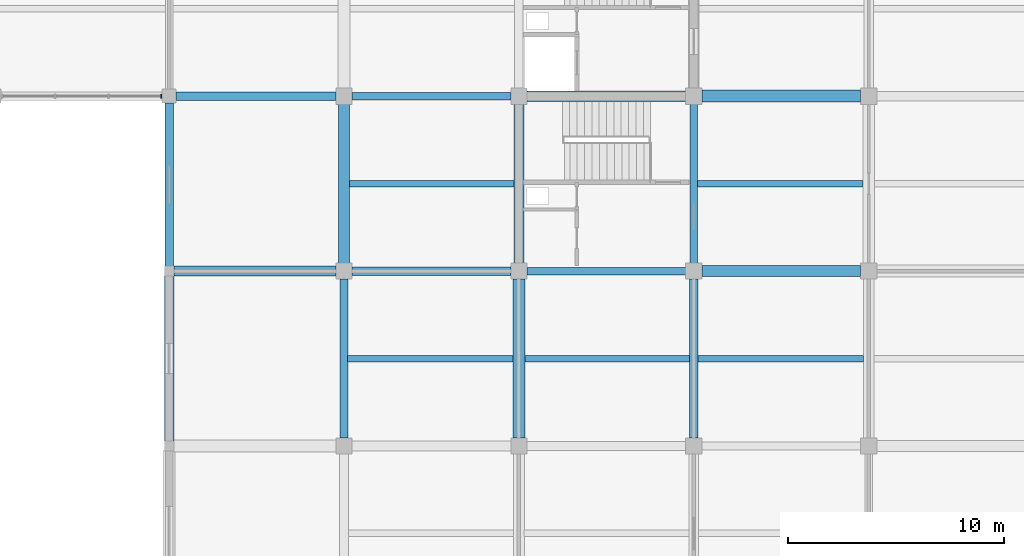
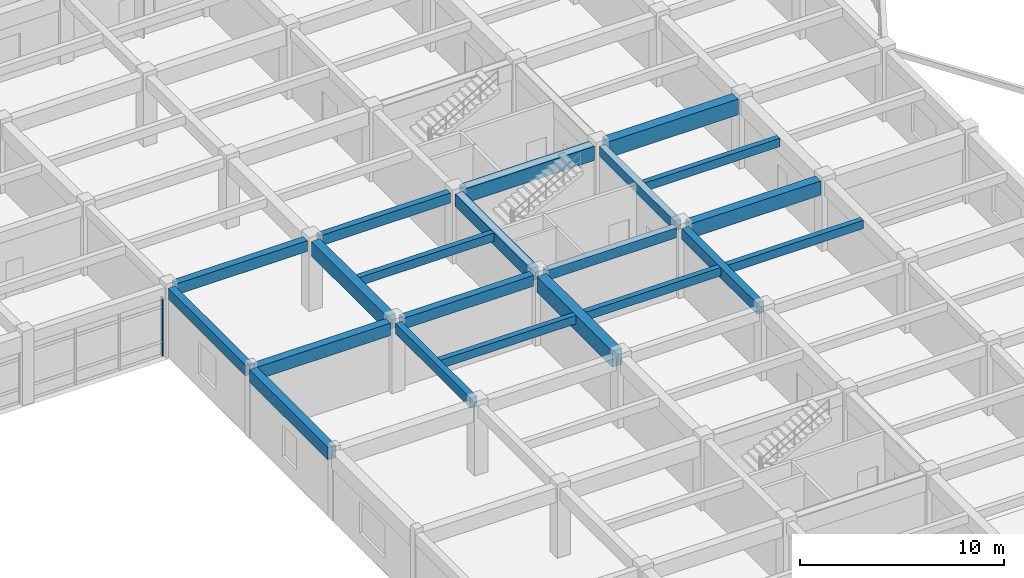
# One storey, part 41 of 89: 21 beams, 1 member, 1 element without a shape of its own.
"""IFC4 building model written with IfcOpenShell, lengths in metres."""

from ifc_helpers import new_model, si_unit, direction, frame, origin, origin_2d, place, context, subcontext, project, spatial, rectangle, extrude, material, layer, layer_set, material_profile, profile_set, type_object, element, aggregate, save


model = new_model("IFC4")

# Units and contexts
model_context = context("Model", 3, precision=1e-05, world=origin(), true_north=direction((0.0, 1.0)))
body_context = subcontext(model_context, "Body", "Model", "MODEL_VIEW")
ifc_project = project(units=[si_unit("LENGTHUNIT", "METRE"), si_unit("AREAUNIT", "SQUARE_METRE"), si_unit("VOLUMEUNIT", "CUBIC_METRE"), si_unit("PLANEANGLEUNIT", "RADIAN"), si_unit("MASSUNIT", "GRAM", prefix="KILO")], contexts=[model_context])

# Site, building, storey
site_placement = place(None, origin())
site = spatial("IfcSite", under=ifc_project, at=site_placement, CompositionType="ELEMENT")
building_placement = place(site_placement, origin())
building = spatial("IfcBuilding", under=site, at=building_placement, Name="Vaudrelin Polytechnic", CompositionType="ELEMENT")
storey_placement = place(building_placement, frame((0.0, 0.0, 9.68994140625)))
storey = spatial("IfcBuildingStorey", under=building, at=storey_placement, Name="L02", CompositionType="ELEMENT", Elevation=9.68994140625)

# Beams
ifc_material_1 = material(Name="Concrete 40 MPa", Category="concrete")
ifc_material_profile_1 = material_profile(ifc_material_1, rectangle(XDim=0.35009765625, YDim=0.60009765625, at=origin_2d()), Name="RC350x600")
ifc_profile_set_1 = profile_set([ifc_material_profile_1], Name="Concrete 40 MPa")
beam_type_1 = type_object("IfcBeamType", Name="BM-BM-RC3560", PredefinedType="BEAM", material=ifc_profile_set_1)
beam_1_placement = place(storey_placement, frame((137.699951171875, 81.360107421875, 3.840087890625), z_axis=(0.0, 1.0, 0.0), x_axis=(-1.0, 0.0, 0.0)))
element("IfcBeam", 1, at=beam_1_placement, inside=storey, type_object=beam_type_1, Name="L02 Y-beam 18-11", PredefinedType="BEAM", context=body_context, shape_type="SweptSolid", body=[
    extrude(rectangle(XDim=0.35009765625, YDim=0.60009765625, at=origin_2d()), origin(), (0.0, 0.0, 1.0), 7.3798828125),
])
beam_2_placement = place(storey_placement, frame((153.89990234375, 89.4599609375, 3.840087890625), z_axis=(0.0, 1.0, 0.0), x_axis=(-1.0, 0.0, 0.0)))
element("IfcBeam", 2, at=beam_2_placement, inside=storey, type_object=beam_type_1, Name="L02 Y-beam 20-12", PredefinedType="BEAM", context=body_context, shape_type="SweptSolid", body=[
    extrude(rectangle(XDim=0.35009765625, YDim=0.60009765625, at=origin_2d()), origin(), (0.0, 0.0, 1.0), 7.380126953125),
])
beam_3_placement = place(storey_placement, frame((138.071044921875, 97.199951171875, 3.840087890625), z_axis=(1.0, 0.0, 0.0), x_axis=(0.0, 1.0, 0.0)))
element("IfcBeam", 3, at=beam_3_placement, inside=storey, type_object=beam_type_1, Name="L02 X-beam 18-13", PredefinedType="BEAM", context=body_context, shape_type="SweptSolid", body=[
    extrude(rectangle(XDim=0.35009765625, YDim=0.60009765625, at=origin_2d()), origin(), (0.0, 0.0, 1.0), 7.35791015625),
])
beam_4_placement = place(storey_placement, frame((146.1708984375, 89.10009765625, 3.840087890625), z_axis=(1.0, 0.0, 0.0), x_axis=(0.0, 1.0, 0.0)))
element("IfcBeam", 4, at=beam_4_placement, inside=storey, type_object=beam_type_1, Name="L02 X-beam 19-12", PredefinedType="BEAM", context=body_context, shape_type="SweptSolid", body=[
    extrude(rectangle(XDim=0.35009765625, YDim=0.60009765625, at=origin_2d()), origin(), (0.0, 0.0, 1.0), 7.358154296875),
])
ifc_material_profile_2 = material_profile(ifc_material_1, rectangle(XDim=0.39990234375, YDim=0.64990234375, at=origin_2d()), Name="RC400x650")
ifc_profile_set_2 = profile_set([ifc_material_profile_2], Name="Concrete 40 MPa")
beam_type_2 = type_object("IfcBeamType", Name="BM-BM-RC4065", PredefinedType="BEAM", material=ifc_profile_set_2)
beam_5_placement = place(storey_placement, frame((129.60009765625, 89.31005859375, 3.81494140625), z_axis=(0.0, 1.0, 0.0), x_axis=(-1.0, 0.0, 0.0)))
element("IfcBeam", 5, at=beam_5_placement, inside=storey, type_object=beam_type_2, Name="L02 Y-beam 17-12", PredefinedType="BEAM", context=body_context, shape_type="SweptSolid", body=[
    extrude(rectangle(XDim=0.39990234375, YDim=0.64990234375, at=origin_2d()), origin(), (0.0, 0.0, 1.0), 7.579833984375),
])
beam_6_placement = place(storey_placement, frame((153.89990234375, 81.360107421875, 3.81494140625), z_axis=(0.0, 1.0, 0.0), x_axis=(-1.0, 0.0, 0.0)))
element("IfcBeam", 6, at=beam_6_placement, inside=storey, type_object=beam_type_2, Name="L02 Y-beam 20-11", PredefinedType="BEAM", context=body_context, shape_type="SweptSolid", body=[
    extrude(rectangle(XDim=0.39990234375, YDim=0.64990234375, at=origin_2d()), origin(), (0.0, 0.0, 1.0), 7.3798828125),
])
beam_7_placement = place(storey_placement, frame((129.9208984375, 97.199951171875, 3.81494140625), z_axis=(1.0, 0.0, 0.0), x_axis=(0.0, 1.0, 0.0)))
element("IfcBeam", 7, at=beam_7_placement, inside=storey, type_object=beam_type_2, Name="L02 X-beam 17-13", PredefinedType="BEAM", context=body_context, shape_type="SweptSolid", body=[
    extrude(rectangle(XDim=0.39990234375, YDim=0.64990234375, at=origin_2d()), origin(), (0.0, 0.0, 1.0), 7.408203125),
])
beam_8_placement = place(storey_placement, frame((138.071044921875, 89.10009765625, 3.81494140625), z_axis=(1.0, 0.0, 0.0), x_axis=(0.0, 1.0, 0.0)))
element("IfcBeam", 8, at=beam_8_placement, inside=storey, type_object=beam_type_2, Name="L02 X-beam 18-12", PredefinedType="BEAM", context=body_context, shape_type="SweptSolid", body=[
    extrude(rectangle(XDim=0.39990234375, YDim=0.64990234375, at=origin_2d()), origin(), (0.0, 0.0, 1.0), 7.35791015625),
])
ifc_material_profile_3 = material_profile(ifc_material_1, rectangle(XDim=0.449951171875, YDim=0.75, at=origin_2d()), Name="RC450x750")
ifc_profile_set_3 = profile_set([ifc_material_profile_3], Name="Concrete 40 MPa")
beam_type_3 = type_object("IfcBeamType", Name="BM-BM-RC4575", PredefinedType="BEAM", material=ifc_profile_set_3)
beam_9_placement = place(storey_placement, frame((129.60009765625, 81.2099609375, 3.76513671875), z_axis=(0.0, 1.0, 0.0), x_axis=(-1.0, 0.0, 0.0)))
element("IfcBeam", 9, at=beam_9_placement, inside=storey, type_object=beam_type_3, Name="L02 Y-beam 17-11", PredefinedType="BEAM", context=body_context, shape_type="SweptSolid", body=[
    extrude(rectangle(XDim=0.449951171875, YDim=0.75, at=origin_2d()), origin(), (0.0, 0.0, 1.0), 7.679931640625),
])
beam_10_placement = place(storey_placement, frame((145.800048828125, 89.4599609375, 3.76513671875), z_axis=(0.0, 1.0, 0.0), x_axis=(-1.0, 0.0, 0.0)))
element("IfcBeam", 10, at=beam_10_placement, inside=storey, type_object=beam_type_3, Name="L02 Y-beam 19-12", PredefinedType="BEAM", context=body_context, shape_type="SweptSolid", body=[
    extrude(rectangle(XDim=0.449951171875, YDim=0.75, at=origin_2d()), origin(), (0.0, 0.0, 1.0), 7.380126953125),
])
beam_11_placement = place(storey_placement, frame((129.821044921875, 89.10009765625, 3.76513671875), z_axis=(1.0, 0.0, 0.0), x_axis=(0.0, 1.0, 0.0)))
element("IfcBeam", 11, at=beam_11_placement, inside=storey, type_object=beam_type_3, Name="L02 X-beam 17-12", PredefinedType="BEAM", context=body_context, shape_type="SweptSolid", body=[
    extrude(rectangle(XDim=0.449951171875, YDim=0.75, at=origin_2d()), origin(), (0.0, 0.0, 1.0), 7.508056640625),
])
ifc_material_profile_4 = material_profile(ifc_material_1, rectangle(XDim=0.5, YDim=0.85009765625, at=origin_2d()), Name="RC500x850")
ifc_profile_set_4 = profile_set([ifc_material_profile_4], Name="Concrete 40 MPa")
beam_type_4 = type_object("IfcBeamType", Name="BM-BM-RC5085", PredefinedType="BEAM", material=ifc_profile_set_4)
beam_12_placement = place(storey_placement, frame((137.699951171875, 89.4599609375, 3.715087890625), z_axis=(0.0, 1.0, 0.0), x_axis=(-1.0, 0.0, 0.0)))
element("IfcBeam", 12, at=beam_12_placement, inside=storey, type_object=beam_type_4, Name="L02 Y-beam 18-12", PredefinedType="BEAM", context=body_context, shape_type="SweptSolid", body=[
    extrude(rectangle(XDim=0.5, YDim=0.85009765625, at=origin_2d()), origin(), (0.0, 0.0, 1.0), 7.380126953125),
])
beam_13_placement = place(storey_placement, frame((146.1708984375, 97.199951171875, 3.715087890625), z_axis=(1.0, 0.0, 0.0), x_axis=(0.0, 1.0, 0.0)))
element("IfcBeam", 13, at=beam_13_placement, inside=storey, type_object=beam_type_4, Name="L02 X-beam 19-13", PredefinedType="BEAM", context=body_context, shape_type="SweptSolid", body=[
    extrude(rectangle(XDim=0.5, YDim=0.85009765625, at=origin_2d()), origin(), (0.0, 0.0, 1.0), 7.358154296875),
])
beam_14_placement = place(storey_placement, frame((154.27099609375, 89.10009765625, 3.715087890625), z_axis=(1.0, 0.0, 0.0), x_axis=(0.0, 1.0, 0.0)))
element("IfcBeam", 14, at=beam_14_placement, inside=storey, type_object=beam_type_4, Name="L02 X-beam 20-12", PredefinedType="BEAM", context=body_context, shape_type="SweptSolid", body=[
    extrude(rectangle(XDim=0.5, YDim=0.85009765625, at=origin_2d()), origin(), (0.0, 0.0, 1.0), 7.35791015625),
])
ifc_material_2 = material(Name="Concrete 50 MPa", Category="concrete")
ifc_material_profile_5 = material_profile(ifc_material_2, rectangle(XDim=0.550048828125, YDim=0.949951171875, at=origin_2d()), Name="RC550x950")
ifc_profile_set_5 = profile_set([ifc_material_profile_5], Name="Concrete 50 MPa")
beam_type_5 = type_object("IfcBeamType", Name="BM-BM-RC5595", PredefinedType="BEAM", material=ifc_profile_set_5)
beam_15_placement = place(storey_placement, frame((145.800048828125, 81.360107421875, 3.6650390625), z_axis=(0.0, 1.0, 0.0), x_axis=(-1.0, 0.0, 0.0)))
element("IfcBeam", 15, at=beam_15_placement, inside=storey, type_object=beam_type_5, Name="L02 Y-beam 19-11", PredefinedType="BEAM", context=body_context, shape_type="SweptSolid", body=[
    extrude(rectangle(XDim=0.550048828125, YDim=0.949951171875, at=origin_2d()), origin(), (0.0, 0.0, 1.0), 7.3798828125),
])
beam_16_placement = place(storey_placement, frame((154.27099609375, 97.199951171875, 3.6650390625), z_axis=(1.0, 0.0, 0.0), x_axis=(0.0, 1.0, 0.0)))
element("IfcBeam", 16, at=beam_16_placement, inside=storey, type_object=beam_type_5, Name="L02 X-beam 20-13", PredefinedType="BEAM", context=body_context, shape_type="SweptSolid", body=[
    extrude(rectangle(XDim=0.550048828125, YDim=0.949951171875, at=origin_2d()), origin(), (0.0, 0.0, 1.0), 7.35791015625),
])
ifc_material_profile_6 = material_profile(ifc_material_1, rectangle(XDim=0.300048828125, YDim=0.5, at=origin_2d()), Name="RC300x500")
ifc_profile_set_6 = profile_set([ifc_material_profile_6], Name="Concrete 40 MPa")
beam_type_6 = type_object("IfcBeamType", Name="BM-JS-RC3050", PredefinedType="JOIST", material=ifc_profile_set_6)
beam_17_placement = place(storey_placement, frame((137.87109375, 85.050048828125, 3.89013671875), z_axis=(1.0, 0.0, 0.0), x_axis=(0.0, 1.0, 0.0)))
element("IfcBeam", 17, at=beam_17_placement, inside=storey, type_object=beam_type_6, Name="L02 floor joist 18-11", PredefinedType="JOIST", context=body_context, shape_type="SweptSolid", body=[
    extrude(rectangle(XDim=0.300048828125, YDim=0.5, at=origin_2d()), origin(), (0.0, 0.0, 1.0), 7.657958984375),
])
for number, where, z_axis, x_axis, name in (
    (18, (137.946044921875, 93.14990234375, 3.89013671875), (1.0, 0.0, 0.0), (0.0, 1.0, 0.0), "L02 floor joist 18-12"),
    (19, (146.071044921875, 85.050048828125, 3.89013671875), (1.0, 0.0, 0.0), (0.0, 1.0, 0.0), "L02 floor joist 19-11"),
):
    element("IfcBeam", number, at=place(storey_placement, frame(where, z_axis=z_axis, x_axis=x_axis)), inside=storey, type_object=beam_type_6, Name=name, PredefinedType="JOIST", context=body_context, shape_type="SweptSolid", body=[
        extrude(rectangle(XDim=0.300048828125, YDim=0.5, at=origin_2d()), origin(), (0.0, 0.0, 1.0), 7.633056640625),
    ])
for number, where, z_axis, x_axis, name in (
    (20, (154.095947265625, 85.050048828125, 3.89013671875), (1.0, 0.0, 0.0), (0.0, 1.0, 0.0), "L02 floor joist 20-11"),
    (21, (154.071044921875, 93.14990234375, 3.89013671875), (1.0, 0.0, 0.0), (0.0, 1.0, 0.0), "L02 floor joist 20-12"),
):
    element("IfcBeam", number, at=place(storey_placement, frame(where, z_axis=z_axis, x_axis=x_axis)), inside=storey, type_object=beam_type_6, Name=name, PredefinedType="JOIST", context=body_context, shape_type="SweptSolid", body=[
        extrude(rectangle(XDim=0.300048828125, YDim=0.5, at=origin_2d()), origin(), (0.0, 0.0, 1.0), 7.657958984375),
    ])

# Curtain wall, member
ifc_material_3 = material(Name="Thermally broken anodised aluminium AA 6063-T6 and low-e triple glazing", Category="aluminium")
ifc_layer = layer(ifc_material_3, 0.199951171875)
ifc_layer_set = layer_set([ifc_layer], Name="Thermally broken anodised aluminium AA 6063-T6 and low-e triple glazing")
curtain_wall_type = type_object("IfcCurtainWallType", Name="CW-CW-LIB", PredefinedType="USERDEFINED", material=ifc_layer_set)
curtain_wall_placement = place(storey_placement, origin())
curtain_wall = element("IfcCurtainWall", 22, at=curtain_wall_placement, inside=storey, type_object=curtain_wall_type, Name="Curtain wall L02 CT_N_11", ObjectType="CURTAIN WALL", PredefinedType="USERDEFINED")
ifc_material_4 = material(Name="Anodised aluminium AA 6063-T6", Category="aluminium")
ifc_material_profile_7 = material_profile(ifc_material_4, rectangle(XDim=0.06494140625, YDim=0.179931640625, at=origin_2d()), Name="CWM-65x180")
ifc_profile_set_7 = profile_set([ifc_material_profile_7], Name="Anodised aluminium AA 6063-T6")
member_type = type_object("IfcMemberType", Name="MEM-CWM-180", PredefinedType="MULLION", material=ifc_profile_set_7)
member_placement = place(storey_placement, frame((129.237060546875, 97.199951171875, 0.0), z_axis=(0.0, 0.0, 1.0), x_axis=(1.0, 0.0, 0.0)))
member = element("IfcMember", 23, at=member_placement, type_object=member_type, Name="CT_N_11 mullion 4", PredefinedType="MULLION", context=body_context, shape_type="SweptSolid", body=[
    extrude(rectangle(XDim=0.06494140625, YDim=0.179931640625, at=origin_2d()), origin(), (0.0, 0.0, 1.0), 3.491943359375),
])
aggregate(curtain_wall, [member])

save(model, "model.ifc")
